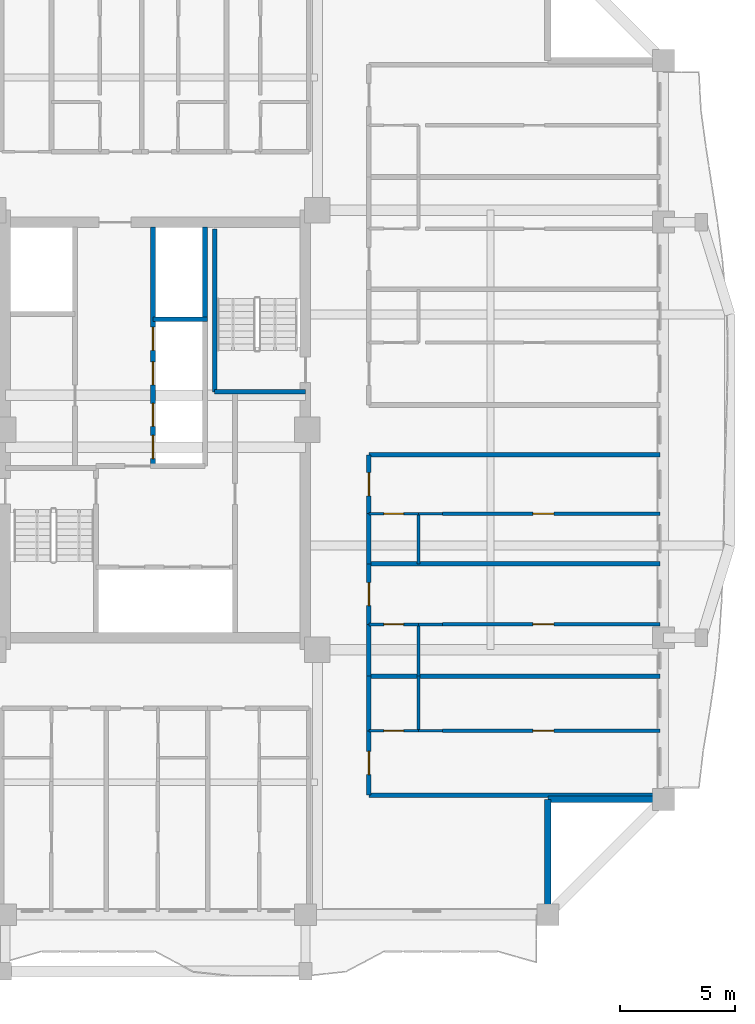
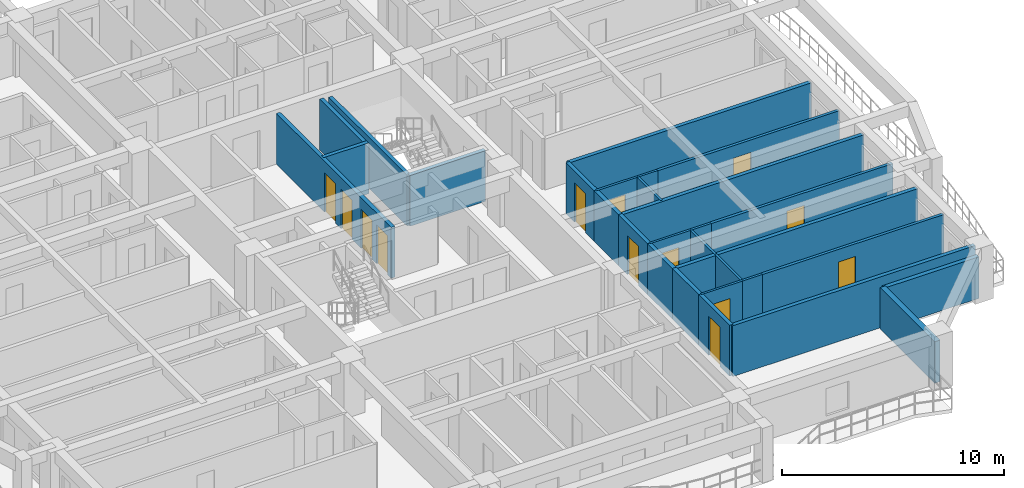
# One storey, part 5 of 15: 29 walls, 13 doors, 13 openings.
"""IFC4 building model written with IfcOpenShell, lengths in metres."""

from ifc_helpers import new_model, si_unit, direction, frame, frame_2d, origin, place, context, subcontext, project, spatial, rectangle, extrude, source, transform, mapped, material, layer, layer_set, type_object, element, fill, save


model = new_model("IFC4")

# Units and contexts
model_context = context("Model", 3, precision=1e-05, world=origin(), true_north=direction((0.0, 1.0)))
body_context = subcontext(model_context, "Body", "Model", "MODEL_VIEW")
ifc_project = project(units=[si_unit("LENGTHUNIT", "METRE"), si_unit("AREAUNIT", "SQUARE_METRE"), si_unit("VOLUMEUNIT", "CUBIC_METRE"), si_unit("PLANEANGLEUNIT", "RADIAN"), si_unit("MASSUNIT", "GRAM", prefix="KILO")], contexts=[model_context])

# Site, building, storey
site_placement = place(None, origin())
site = spatial("IfcSite", under=ifc_project, at=site_placement, CompositionType="ELEMENT")
building_placement = place(site_placement, origin())
building = spatial("IfcBuilding", under=site, at=building_placement, Name="Saelheon Loggia Tower", CompositionType="ELEMENT")
storey_placement = place(building_placement, frame((0.0, 0.0, 163.0)))
storey = spatial("IfcBuildingStorey", under=building, at=storey_placement, Name="L51", CompositionType="ELEMENT", Elevation=163.0)

# Walls
ifc_material_1 = material(Name="Architectural Precast Concrete C40/50", Category="concrete")
ifc_layer_1 = layer(ifc_material_1, 0.280029296875)
ifc_layer_set_1 = layer_set([ifc_layer_1], Name="Architectural Precast Concrete C40/50")
wall_type_1 = type_object("IfcWallType", Name="Wall_Ext_Loggia_280", PredefinedType="SOLIDWALL", material=ifc_layer_set_1)
for number, where, z_axis, x_axis, name in (
    (1, (55.0, 6.080078125, 0.0), (0.0, 0.0, 1.0), (0.0, 1.0, 0.0), "L51 Corner Notch Precast Wall SE1"),
    (2, (55.0, 11.0, 0.0), (0.0, 0.0, 1.0), (1.0, 0.0, 0.0), "L51 Corner Notch Precast Wall SE2"),
):
    element("IfcWall", number, at=place(storey_placement, frame(where, z_axis=z_axis, x_axis=x_axis)), inside=storey, type_object=wall_type_1, Name=name, PredefinedType="SOLIDWALL", context=body_context, shape_type="SweptSolid", body=[
        extrude(rectangle(XDim=4.919921875, YDim=0.280029296875, at=frame_2d((2.4599609375, 0.0))), origin(), (0.0, 0.0, 1.0), 2.280029296875),
    ])

# Wall, opening, door
ifc_material_2 = material(Name="Lightweight Autoclaved Aerated Concrete Block and Acoustic Gypsum", Category="concrete")
ifc_layer_2 = layer(ifc_material_2, 0.14990234375)
ifc_layer_set_2 = layer_set([ifc_layer_2], Name="Lightweight Autoclaved Aerated Concrete Block and Acoustic Gypsum")
wall_type_2 = type_object("IfcWallType", Name="Wall_Part_150", PredefinedType="PARTITIONING", material=ifc_layer_set_2)
wall_1_placement = place(storey_placement, frame((50.429931640625, 13.9658203125, 0.0), z_axis=(0.0, 0.0, 1.0), x_axis=(1.0, 0.0, 0.0)))
wall_1 = element("IfcWall", 3, at=wall_1_placement, inside=storey, type_object=wall_type_2, Name="L51 ES Partition U08", PredefinedType="PARTITIONING", context=body_context, shape_type="SweptSolid", body=[
    extrude(rectangle(XDim=9.420166015625, YDim=0.14990234375, at=frame_2d((4.7099609375, 0.0))), origin(), (0.0, 0.0, 1.0), 2.7900390625),
])
opening_1_placement = place(wall_1_placement, frame((3.925048828125, 0.0, 0.0)))
opening_1 = element("IfcOpeningElement", 4, at=opening_1_placement, cuts=wall_1, Name="Opening D-IN2", PredefinedType="OPENING", context=body_context, shape_type="SweptSolid", body=[
    extrude(rectangle(XDim=0.89990234375, YDim=2.10009765625, at=frame_2d((0.449951171875, 1.050048828125))), frame((0.0, 0.0869140625, 0.0), z_axis=(0.0, -1.0, 0.0), x_axis=(1.0, 0.0, 0.0)), (0.0, 0.0, 1.0), 0.173828125),
])
ifc_material_3 = material(Name="Engineered Oak Flush Door", Category="timber")
door_type_1 = type_object("IfcDoorType", Name="Door_Int_900", OperationType="NOTDEFINED", PredefinedType="DOOR", material=ifc_material_3)
shared_shape_1 = source(origin(), body_context, "Body", "SweptSolid", [
    extrude(rectangle(XDim=0.89990234375, YDim=2.10009765625, at=frame_2d((0.449951171875, 1.050048828125))), frame((0.0, 0.02490234375, 0.0), z_axis=(0.0, -1.0, 0.0), x_axis=(1.0, 0.0, 0.0)), (0.0, 0.0, 1.0), 0.050048828125),
])
door_1_placement = place(opening_1_placement, origin())
door_1 = element("IfcDoor", 5, at=door_1_placement, inside=storey, type_object=door_type_1, Name="Unit U13 Kitchen Door", OperationType="SINGLE_SWING_LEFT", OverallHeight=2.10009765625, OverallWidth=0.89990234375, PredefinedType="DOOR", context=body_context, shape_type="MappedRepresentation", body=[
    mapped(shared_shape_1, transform((0.0, 0.0, 0.0), scale=1.0)),
])
fill(opening_1, door_1)

wall_2_placement = place(storey_placement, frame((50.429931640625, 18.576416015625, 0.0), z_axis=(0.0, 0.0, 1.0), x_axis=(1.0, 0.0, 0.0)))
wall_2 = element("IfcWall", 6, at=wall_2_placement, inside=storey, type_object=wall_type_2, Name="L51 ES Partition U15", PredefinedType="PARTITIONING", context=body_context, shape_type="SweptSolid", body=[
    extrude(rectangle(XDim=9.420166015625, YDim=0.14990234375, at=frame_2d((4.7099609375, 0.0))), origin(), (0.0, 0.0, 1.0), 2.7900390625),
])
opening_2_placement = place(wall_2_placement, frame((3.925048828125, 0.0, 0.0)))
opening_2 = element("IfcOpeningElement", 7, at=opening_2_placement, cuts=wall_2, Name="Opening D-IN2", PredefinedType="OPENING", context=body_context, shape_type="SweptSolid", body=[
    extrude(rectangle(XDim=0.89990234375, YDim=2.10009765625, at=frame_2d((0.449951171875, 1.050048828125))), frame((0.0, 0.0869140625, 0.0), z_axis=(0.0, -1.0, 0.0), x_axis=(1.0, 0.0, 0.0)), (0.0, 0.0, 1.0), 0.173828125),
])
door_2_placement = place(opening_2_placement, origin())
door_2 = element("IfcDoor", 8, at=door_2_placement, inside=storey, type_object=door_type_1, Name="Unit U14 Kitchen Door", OperationType="SINGLE_SWING_RIGHT", OverallHeight=2.10009765625, OverallWidth=0.89990234375, PredefinedType="DOOR", context=body_context, shape_type="MappedRepresentation", body=[
    mapped(shared_shape_1, transform((0.0, 0.0, 0.0), scale=1.0)),
])
fill(opening_2, door_2)

wall_3_placement = place(storey_placement, frame((50.429931640625, 23.372802734375, 0.0), z_axis=(0.0, 0.0, 1.0), x_axis=(1.0, 0.0, 0.0)))
wall_3 = element("IfcWall", 9, at=wall_3_placement, inside=storey, type_object=wall_type_2, Name="L51 ES Partition U22", PredefinedType="PARTITIONING", context=body_context, shape_type="SweptSolid", body=[
    extrude(rectangle(XDim=9.420166015625, YDim=0.14990234375, at=frame_2d((4.7099609375, 0.0))), origin(), (0.0, 0.0, 1.0), 2.7900390625),
])
opening_3_placement = place(wall_3_placement, frame((3.925048828125, 0.0, 0.0)))
opening_3 = element("IfcOpeningElement", 10, at=opening_3_placement, cuts=wall_3, Name="Opening D-IN2", PredefinedType="OPENING", context=body_context, shape_type="SweptSolid", body=[
    extrude(rectangle(XDim=0.89990234375, YDim=2.10009765625, at=frame_2d((0.449951171875, 1.050048828125))), frame((0.0, 0.0869140625, 0.0), z_axis=(0.0, -1.0, 0.0), x_axis=(1.0, 0.0, 0.0)), (0.0, 0.0, 1.0), 0.173828125),
])
door_3_placement = place(opening_3_placement, origin())
door_3 = element("IfcDoor", 11, at=door_3_placement, inside=storey, type_object=door_type_1, Name="Unit U15 Kitchen Door", OperationType="SINGLE_SWING_LEFT", OverallHeight=2.10009765625, OverallWidth=0.89990234375, PredefinedType="DOOR", context=body_context, shape_type="MappedRepresentation", body=[
    mapped(shared_shape_1, transform((0.0, 0.0, 0.0), scale=1.0)),
])
fill(opening_3, door_3)

# Walls
ifc_material_4 = material(Name="Double Acoustic Stud and Fireboard Partition", Category="gypsum")
ifc_layer_3 = layer(ifc_material_4, 0.199951171875)
ifc_layer_set_3 = layer_set([ifc_layer_3], Name="Double Acoustic Stud and Fireboard Partition")
wall_type_3 = type_object("IfcWallType", Name="Wall_Party_200", PredefinedType="PARTITIONING", material=ifc_layer_set_3)
for number, where, z_axis, x_axis, name in (
    (12, (47.25, 11.179931640625, 0.0), (0.0, 0.0, 1.0), (1.0, 0.0, 0.0), "L51 ES Partition U01"),
    (13, (47.25, 25.919921875, 0.0), (0.0, 0.0, 1.0), (1.0, 0.0, 0.0), "L51 ES Partition U02"),
):
    element("IfcWall", number, at=place(storey_placement, frame(where, z_axis=z_axis, x_axis=x_axis)), inside=storey, type_object=wall_type_3, Name=name, PredefinedType="PARTITIONING", context=body_context, shape_type="SweptSolid", body=[
        extrude(rectangle(XDim=12.60009765625, YDim=0.199951171875, at=frame_2d((6.300048828125, 0.0))), origin(), (0.0, 0.0, 1.0), 2.7900390625),
    ])

# Wall, opening, door
wall_4_placement = place(storey_placement, frame((47.25, 11.179931640625, 0.0), z_axis=(0.0, 0.0, 1.0), x_axis=(0.0, 1.0, 0.0)))
wall_4 = element("IfcWall", 14, at=wall_4_placement, inside=storey, type_object=wall_type_3, Name="L51 ES Partition V03", PredefinedType="PARTITIONING", context=body_context, shape_type="SweptSolid", body=[
    extrude(rectangle(XDim=2.785888671875, YDim=0.199951171875, at=frame_2d((1.39306640625, 0.0))), origin(), (0.0, 0.0, 1.0), 2.7900390625),
])
opening_4_placement = place(wall_4_placement, frame((0.892822265625, 0.0, 0.0)))
opening_4 = element("IfcOpeningElement", 15, at=opening_4_placement, cuts=wall_4, Name="Opening D-FD1", PredefinedType="OPENING", context=body_context, shape_type="SweptSolid", body=[
    extrude(rectangle(XDim=1.0, YDim=2.14990234375, at=frame_2d((0.5, 1.074951171875))), frame((0.0, 0.112060546875, 0.0), z_axis=(0.0, -1.0, 0.0), x_axis=(1.0, 0.0, 0.0)), (0.0, 0.0, 1.0), 0.223876953125),
])
ifc_material_5 = material(Name="Fire-Rated Engineered Timber Entrance Door", Category="wood")
door_type_2 = type_object("IfcDoorType", Name="Door_Flat_FD30S", OperationType="NOTDEFINED", PredefinedType="DOOR", material=ifc_material_5)
shared_shape_2 = source(origin(), body_context, "Body", "SweptSolid", [
    extrude(rectangle(XDim=1.0, YDim=2.14990234375, at=frame_2d((0.5, 1.074951171875))), frame((0.0, 0.02490234375, 0.0), z_axis=(0.0, -1.0, 0.0), x_axis=(1.0, 0.0, 0.0)), (0.0, 0.0, 1.0), 0.050048828125),
])
door_4_placement = place(opening_4_placement, origin())
door_4 = element("IfcDoor", 16, at=door_4_placement, inside=storey, type_object=door_type_2, Name="Unit U13 Entrance Door", OperationType="SINGLE_SWING_LEFT", OverallHeight=2.14990234375, OverallWidth=1.0, PredefinedType="DOOR", context=body_context, shape_type="MappedRepresentation", body=[
    mapped(shared_shape_2, transform((0.0, 0.0, 0.0), scale=1.0)),
])
fill(opening_4, door_4)

# Walls
wall_5_placement = place(storey_placement, frame((47.25, 13.9658203125, 0.0), z_axis=(0.0, 0.0, 1.0), x_axis=(0.0, 1.0, 0.0)))
element("IfcWall", 17, at=wall_5_placement, inside=storey, type_object=wall_type_3, Name="L51 ES Partition V04", PredefinedType="PARTITIONING", context=body_context, shape_type="SweptSolid", body=[
    extrude(rectangle(XDim=2.373291015625, YDim=0.199951171875, at=frame_2d((1.1865234375, 0.0))), origin(), (0.0, 0.0, 1.0), 2.7900390625),
])
wall_6_placement = place(storey_placement, frame((47.25, 16.339111328125, 0.0), z_axis=(0.0, 0.0, 1.0), x_axis=(1.0, 0.0, 0.0)))
element("IfcWall", 18, at=wall_6_placement, inside=storey, type_object=wall_type_3, Name="L51 ES Partition U09", PredefinedType="PARTITIONING", context=body_context, shape_type="SweptSolid", body=[
    extrude(rectangle(XDim=12.60009765625, YDim=0.199951171875, at=frame_2d((6.300048828125, 0.0))), origin(), (0.0, 0.0, 1.0), 2.7900390625),
])
wall_7_placement = place(storey_placement, frame((47.25, 16.339111328125, 0.0), z_axis=(0.0, 0.0, 1.0), x_axis=(0.0, 1.0, 0.0)))
element("IfcWall", 19, at=wall_7_placement, inside=storey, type_object=wall_type_3, Name="L51 ES Partition V10", PredefinedType="PARTITIONING", context=body_context, shape_type="SweptSolid", body=[
    extrude(rectangle(XDim=2.2373046875, YDim=0.199951171875, at=frame_2d((1.11865234375, 0.0))), origin(), (0.0, 0.0, 1.0), 2.7900390625),
])

# Wall, opening, door
wall_8_placement = place(storey_placement, frame((47.25, 18.576416015625, 0.0), z_axis=(0.0, 0.0, 1.0), x_axis=(0.0, 1.0, 0.0)))
wall_8 = element("IfcWall", 20, at=wall_8_placement, inside=storey, type_object=wall_type_3, Name="L51 ES Partition V11", PredefinedType="PARTITIONING", context=body_context, shape_type="SweptSolid", body=[
    extrude(rectangle(XDim=2.626708984375, YDim=0.199951171875, at=frame_2d((1.3134765625, 0.0))), origin(), (0.0, 0.0, 1.0), 2.7900390625),
])
opening_5_placement = place(wall_8_placement, frame((0.813232421875, 0.0, 0.0)))
opening_5 = element("IfcOpeningElement", 21, at=opening_5_placement, cuts=wall_8, Name="Opening D-FD1", PredefinedType="OPENING", context=body_context, shape_type="SweptSolid", body=[
    extrude(rectangle(XDim=1.0, YDim=2.14990234375, at=frame_2d((0.5, 1.074951171875))), frame((0.0, 0.112060546875, 0.0), z_axis=(0.0, -1.0, 0.0), x_axis=(1.0, 0.0, 0.0)), (0.0, 0.0, 1.0), 0.223876953125),
])
door_5_placement = place(opening_5_placement, origin())
door_5 = element("IfcDoor", 22, at=door_5_placement, inside=storey, type_object=door_type_2, Name="Unit U14 Entrance Door", OperationType="SINGLE_SWING_RIGHT", OverallHeight=2.14990234375, OverallWidth=1.0, PredefinedType="DOOR", context=body_context, shape_type="MappedRepresentation", body=[
    mapped(shared_shape_2, transform((0.0, 0.0, 0.0), scale=1.0)),
])
fill(opening_5, door_5)

# Walls
wall_9_placement = place(storey_placement, frame((47.25, 21.203125, 0.0), z_axis=(0.0, 0.0, 1.0), x_axis=(1.0, 0.0, 0.0)))
element("IfcWall", 23, at=wall_9_placement, inside=storey, type_object=wall_type_3, Name="L51 ES Partition U16", PredefinedType="PARTITIONING", context=body_context, shape_type="SweptSolid", body=[
    extrude(rectangle(XDim=12.60009765625, YDim=0.199951171875, at=frame_2d((6.300048828125, 0.0))), origin(), (0.0, 0.0, 1.0), 2.7900390625),
])
wall_10_placement = place(storey_placement, frame((47.25, 21.203125, 0.0), z_axis=(0.0, 0.0, 1.0), x_axis=(0.0, 1.0, 0.0)))
element("IfcWall", 24, at=wall_10_placement, inside=storey, type_object=wall_type_3, Name="L51 ES Partition V17", PredefinedType="PARTITIONING", context=body_context, shape_type="SweptSolid", body=[
    extrude(rectangle(XDim=2.169677734375, YDim=0.199951171875, at=frame_2d((1.0849609375, 0.0))), origin(), (0.0, 0.0, 1.0), 2.7900390625),
])

# Wall, opening, door
wall_11_placement = place(storey_placement, frame((47.25, 23.372802734375, 0.0), z_axis=(0.0, 0.0, 1.0), x_axis=(0.0, 1.0, 0.0)))
wall_11 = element("IfcWall", 25, at=wall_11_placement, inside=storey, type_object=wall_type_3, Name="L51 ES Partition V18", PredefinedType="PARTITIONING", context=body_context, shape_type="SweptSolid", body=[
    extrude(rectangle(XDim=2.547119140625, YDim=0.199951171875, at=frame_2d((1.2734375, 0.0))), origin(), (0.0, 0.0, 1.0), 2.7900390625),
])
opening_6_placement = place(wall_11_placement, frame((0.773681640625, 0.0, 0.0)))
opening_6 = element("IfcOpeningElement", 26, at=opening_6_placement, cuts=wall_11, Name="Opening D-FD1", PredefinedType="OPENING", context=body_context, shape_type="SweptSolid", body=[
    extrude(rectangle(XDim=1.0, YDim=2.14990234375, at=frame_2d((0.5, 1.074951171875))), frame((0.0, 0.112060546875, 0.0), z_axis=(0.0, -1.0, 0.0), x_axis=(1.0, 0.0, 0.0)), (0.0, 0.0, 1.0), 0.223876953125),
])
door_6_placement = place(opening_6_placement, origin())
door_6 = element("IfcDoor", 27, at=door_6_placement, inside=storey, type_object=door_type_2, Name="Unit U15 Entrance Door", OperationType="SINGLE_SWING_LEFT", OverallHeight=2.14990234375, OverallWidth=1.0, PredefinedType="DOOR", context=body_context, shape_type="MappedRepresentation", body=[
    mapped(shared_shape_2, transform((0.0, 0.0, 0.0), scale=1.0)),
])
fill(opening_6, door_6)

# Wall
ifc_material_6 = material(Name="Concrete C40/50", Category="concrete")
ifc_layer_4 = layer(ifc_material_6, 0.199951171875)
ifc_layer_set_4 = layer_set([ifc_layer_4], Name="Concrete C40/50")
wall_type_4 = type_object("IfcWallType", Name="Wall_Shaft_200", PredefinedType="PARTITIONING", material=ifc_layer_set_4)
wall_12_placement = place(storey_placement, frame((40.14990234375, 31.800048828125, 0.0), z_axis=(0.0, 0.0, 1.0), x_axis=(0.0, 1.0, 0.0)))
element("IfcWall", 28, at=wall_12_placement, inside=storey, type_object=wall_type_4, Name="L51 East High-Rise Hoistway East Wall", PredefinedType="PARTITIONING", context=body_context, shape_type="SweptSolid", body=[
    extrude(rectangle(XDim=3.97998046875, YDim=0.199951171875, at=frame_2d((1.989990234375, 0.0))), origin(), (0.0, 0.0, 1.0), 2.7900390625),
])

# Wall, openings, doors
wall_13_placement = place(storey_placement, frame((37.89990234375, 25.43994140625, 0.0), z_axis=(0.0, 0.0, 1.0), x_axis=(0.0, 1.0, 0.0)))
wall_13 = element("IfcWall", 29, at=wall_13_placement, inside=storey, type_object=wall_type_4, Name="L51 East Passenger Lift Bank Wall", PredefinedType="PARTITIONING", context=body_context, shape_type="SweptSolid", body=[
    extrude(rectangle(XDim=10.340087890625, YDim=0.199951171875, at=frame_2d((5.169921875, 0.0))), origin(), (0.0, 0.0, 1.0), 2.7900390625),
])
opening_7_placement = place(wall_13_placement, frame((0.320068359375, 0.0, 0.0)))
opening_7 = element("IfcOpeningElement", 30, at=opening_7_placement, cuts=wall_13, Name="Opening LD1", PredefinedType="OPENING", context=body_context, shape_type="SweptSolid", body=[
    extrude(rectangle(XDim=1.0, YDim=2.14990234375, at=frame_2d((0.5, 1.074951171875))), frame((0.0, 0.112060546875, 0.0), z_axis=(0.0, -1.0, 0.0), x_axis=(1.0, 0.0, 0.0)), (0.0, 0.0, 1.0), 0.223876953125),
])
opening_8_placement = place(wall_13_placement, frame((1.7099609375, 0.0, 0.0)))
opening_8 = element("IfcOpeningElement", 31, at=opening_8_placement, cuts=wall_13, Name="Opening LD1", PredefinedType="OPENING", context=body_context, shape_type="SweptSolid", body=[
    extrude(rectangle(XDim=1.0, YDim=2.14990234375, at=frame_2d((0.5, 1.074951171875))), frame((0.0, 0.112060546875, 0.0), z_axis=(0.0, -1.0, 0.0), x_axis=(1.0, 0.0, 0.0)), (0.0, 0.0, 1.0), 0.223876953125),
])
opening_9_placement = place(wall_13_placement, frame((3.510009765625, 0.0, 0.0)))
opening_9 = element("IfcOpeningElement", 32, at=opening_9_placement, cuts=wall_13, Name="Opening LD1", PredefinedType="OPENING", context=body_context, shape_type="SweptSolid", body=[
    extrude(rectangle(XDim=1.0, YDim=2.14990234375, at=frame_2d((0.5, 1.074951171875))), frame((0.0, 0.112060546875, 0.0), z_axis=(0.0, -1.0, 0.0), x_axis=(1.0, 0.0, 0.0)), (0.0, 0.0, 1.0), 0.223876953125),
])
opening_10_placement = place(wall_13_placement, frame((5.010009765625, 0.0, 0.0)))
opening_10 = element("IfcOpeningElement", 33, at=opening_10_placement, cuts=wall_13, Name="Opening LD1", PredefinedType="OPENING", context=body_context, shape_type="SweptSolid", body=[
    extrude(rectangle(XDim=1.0, YDim=2.14990234375, at=frame_2d((0.5, 1.074951171875))), frame((0.0, 0.112060546875, 0.0), z_axis=(0.0, -1.0, 0.0), x_axis=(1.0, 0.0, 0.0)), (0.0, 0.0, 1.0), 0.223876953125),
])
ifc_material_7 = material(Name="Brushed Stainless Steel 304 Landing Door", Category="steel")
door_type_3 = type_object("IfcDoorType", Name="Door_Lift_LD1", OperationType="DOUBLE_DOOR_SLIDING", PredefinedType="DOOR", material=ifc_material_7)
door_7_placement = place(opening_7_placement, origin())
door_7 = element("IfcDoor", 34, at=door_7_placement, inside=storey, type_object=door_type_3, Name="L51 PM1 Landing Door", OperationType="DOUBLE_DOOR_SLIDING", OverallHeight=2.14990234375, OverallWidth=1.0, PredefinedType="DOOR", context=body_context, shape_type="MappedRepresentation", body=[
    mapped(shared_shape_2, transform((0.0, 0.0, 0.0), scale=1.0)),
])
fill(opening_7, door_7)
door_8_placement = place(opening_8_placement, origin())
door_8 = element("IfcDoor", 35, at=door_8_placement, inside=storey, type_object=door_type_3, Name="L51 PM2 Landing Door", OperationType="DOUBLE_DOOR_SLIDING", OverallHeight=2.14990234375, OverallWidth=1.0, PredefinedType="DOOR", context=body_context, shape_type="MappedRepresentation", body=[
    mapped(shared_shape_2, transform((0.0, 0.0, 0.0), scale=1.0)),
])
fill(opening_8, door_8)
door_9_placement = place(opening_9_placement, origin())
door_9 = element("IfcDoor", 36, at=door_9_placement, inside=storey, type_object=door_type_3, Name="L51 PM3 Landing Door", OperationType="DOUBLE_DOOR_SLIDING", OverallHeight=2.14990234375, OverallWidth=1.0, PredefinedType="DOOR", context=body_context, shape_type="MappedRepresentation", body=[
    mapped(shared_shape_2, transform((0.0, 0.0, 0.0), scale=1.0)),
])
fill(opening_9, door_9)
door_10_placement = place(opening_10_placement, origin())
door_10 = element("IfcDoor", 37, at=door_10_placement, inside=storey, type_object=door_type_3, Name="L51 PM4 Landing Door", OperationType="DOUBLE_DOOR_SLIDING", OverallHeight=2.14990234375, OverallWidth=1.0, PredefinedType="DOOR", context=body_context, shape_type="MappedRepresentation", body=[
    mapped(shared_shape_2, transform((0.0, 0.0, 0.0), scale=1.0)),
])
fill(opening_10, door_10)

# Walls
wall_14_placement = place(storey_placement, frame((37.89990234375, 31.800048828125, 0.0), z_axis=(0.0, 0.0, 1.0), x_axis=(1.0, 0.0, 0.0)))
element("IfcWall", 38, at=wall_14_placement, inside=storey, type_object=wall_type_4, Name="L51 East High-Rise Shaft Divider", PredefinedType="PARTITIONING", context=body_context, shape_type="SweptSolid", body=[
    extrude(rectangle(XDim=2.35009765625, YDim=0.199951171875, at=frame_2d((1.175048828125, 0.0))), origin(), (0.0, 0.0, 1.0), 2.7900390625),
])
ifc_material_8 = material(Name="Concrete C45/55", Category="concrete")
ifc_layer_5 = layer(ifc_material_8, 0.199951171875)
ifc_layer_set_5 = layer_set([ifc_layer_5], Name="Concrete C45/55")
wall_type_5 = type_object("IfcWallType", Name="Wall_StairShaft_RC200", PredefinedType="SOLIDWALL", material=ifc_layer_set_5)
wall_15_placement = place(storey_placement, frame((40.570068359375, 28.64990234375, 0.0), z_axis=(0.0, 0.0, 1.0), x_axis=(0.0, 1.0, 0.0)))
element("IfcWall", 39, at=wall_15_placement, inside=storey, type_object=wall_type_5, Name="L51 Stair ST2 Shaft Wall", PredefinedType="SOLIDWALL", context=body_context, shape_type="SweptSolid", body=[
    extrude(rectangle(XDim=7.050048828125, YDim=0.199951171875, at=frame_2d((3.52490234375, 0.0))), origin(), (0.0, 0.0, 1.0), 2.7900390625),
])
wall_16_placement = place(storey_placement, frame((40.570068359375, 28.64990234375, 0.0), z_axis=(0.0, 0.0, 1.0), x_axis=(1.0, 0.0, 0.0)))
element("IfcWall", 40, at=wall_16_placement, inside=storey, type_object=wall_type_5, Name="L51 Stair ST2 South Wall", PredefinedType="SOLIDWALL", context=body_context, shape_type="SweptSolid", body=[
    extrude(rectangle(XDim=3.929931640625, YDim=0.199951171875, at=frame_2d((1.96484375, 0.0))), origin(), (0.0, 0.0, 1.0), 2.7900390625),
])

# Wall, opening, door
ifc_material_9 = material(Name="Moisture-Resistant Cement Board Partition", Category="gypsum")
ifc_layer_6 = layer(ifc_material_9, 0.1201171875)
ifc_layer_set_6 = layer_set([ifc_layer_6], Name="Moisture-Resistant Cement Board Partition")
wall_type_6 = type_object("IfcWallType", Name="Wall_WetPart_120", PredefinedType="PARTITIONING", material=ifc_layer_set_6)
wall_17_placement = place(storey_placement, frame((47.25, 13.9658203125, 0.0), z_axis=(0.0, 0.0, 1.0), x_axis=(1.0, 0.0, 0.0)))
wall_17 = element("IfcWall", 41, at=wall_17_placement, inside=storey, type_object=wall_type_6, Name="L51 ES Partition U05", PredefinedType="PARTITIONING", context=body_context, shape_type="SweptSolid", body=[
    extrude(rectangle(XDim=2.14990234375, YDim=0.1201171875, at=frame_2d((1.074951171875, 0.0))), origin(), (0.0, 0.0, 1.0), 2.7900390625),
])
opening_11_placement = place(wall_17_placement, frame((0.64990234375, 0.0, 0.0)))
opening_11 = element("IfcOpeningElement", 42, at=opening_11_placement, cuts=wall_17, Name="Opening D-BT1", PredefinedType="OPENING", context=body_context, shape_type="SweptSolid", body=[
    extrude(rectangle(XDim=0.85009765625, YDim=2.050048828125, at=frame_2d((0.425048828125, 1.02490234375))), frame((0.0, 0.072021484375, 0.0), z_axis=(0.0, -1.0, 0.0), x_axis=(1.0, 0.0, 0.0)), (0.0, 0.0, 1.0), 0.14404296875),
])
ifc_material_10 = material(Name="Moisture-Resistant Laminate Timber Door", Category="wood")
door_type_4 = type_object("IfcDoorType", Name="Door_Bath_850", OperationType="NOTDEFINED", PredefinedType="DOOR", material=ifc_material_10)
shared_shape_3 = source(origin(), body_context, "Body", "SweptSolid", [
    extrude(rectangle(XDim=0.85009765625, YDim=2.050048828125, at=frame_2d((0.425048828125, 1.02490234375))), frame((0.0, 0.02490234375, 0.0), z_axis=(0.0, -1.0, 0.0), x_axis=(1.0, 0.0, 0.0)), (0.0, 0.0, 1.0), 0.050048828125),
])
door_11_placement = place(opening_11_placement, origin())
door_11 = element("IfcDoor", 43, at=door_11_placement, inside=storey, type_object=door_type_4, Name="Unit U13 Bathroom Door", OperationType="SINGLE_SWING_RIGHT", OverallHeight=2.050048828125, OverallWidth=0.85009765625, PredefinedType="DOOR", context=body_context, shape_type="MappedRepresentation", body=[
    mapped(shared_shape_3, transform((0.0, 0.0, 0.0), scale=1.0)),
])
fill(opening_11, door_11)

# Walls
wall_18_placement = place(storey_placement, frame((49.39990234375, 13.9658203125, 0.0), z_axis=(0.0, 0.0, 1.0), x_axis=(1.0, 0.0, 0.0)))
element("IfcWall", 44, at=wall_18_placement, inside=storey, type_object=wall_type_6, Name="L51 ES Partition U06", PredefinedType="PARTITIONING", context=body_context, shape_type="SweptSolid", body=[
    extrude(rectangle(XDim=1.030029296875, YDim=0.1201171875, at=frame_2d((0.51513671875, 0.0))), origin(), (0.0, 0.0, 1.0), 2.7900390625),
])
wall_19_placement = place(storey_placement, frame((49.39990234375, 13.9658203125, 0.0), z_axis=(0.0, 0.0, 1.0), x_axis=(0.0, 1.0, 0.0)))
element("IfcWall", 45, at=wall_19_placement, inside=storey, type_object=wall_type_6, Name="L51 ES Partition V07", PredefinedType="PARTITIONING", context=body_context, shape_type="SweptSolid", body=[
    extrude(rectangle(XDim=2.373291015625, YDim=0.1201171875, at=frame_2d((1.1865234375, 0.0))), origin(), (0.0, 0.0, 1.0), 2.7900390625),
])

# Wall, opening, door
wall_20_placement = place(storey_placement, frame((47.25, 18.576416015625, 0.0), z_axis=(0.0, 0.0, 1.0), x_axis=(1.0, 0.0, 0.0)))
wall_20 = element("IfcWall", 46, at=wall_20_placement, inside=storey, type_object=wall_type_6, Name="L51 ES Partition U12", PredefinedType="PARTITIONING", context=body_context, shape_type="SweptSolid", body=[
    extrude(rectangle(XDim=2.14990234375, YDim=0.1201171875, at=frame_2d((1.074951171875, 0.0))), origin(), (0.0, 0.0, 1.0), 2.7900390625),
])
opening_12_placement = place(wall_20_placement, frame((0.64990234375, 0.0, 0.0)))
opening_12 = element("IfcOpeningElement", 47, at=opening_12_placement, cuts=wall_20, Name="Opening D-BT1", PredefinedType="OPENING", context=body_context, shape_type="SweptSolid", body=[
    extrude(rectangle(XDim=0.85009765625, YDim=2.050048828125, at=frame_2d((0.425048828125, 1.02490234375))), frame((0.0, 0.072021484375, 0.0), z_axis=(0.0, -1.0, 0.0), x_axis=(1.0, 0.0, 0.0)), (0.0, 0.0, 1.0), 0.14404296875),
])
door_12_placement = place(opening_12_placement, origin())
door_12 = element("IfcDoor", 48, at=door_12_placement, inside=storey, type_object=door_type_4, Name="Unit U14 Bathroom Door", OperationType="SINGLE_SWING_LEFT", OverallHeight=2.050048828125, OverallWidth=0.85009765625, PredefinedType="DOOR", context=body_context, shape_type="MappedRepresentation", body=[
    mapped(shared_shape_3, transform((0.0, 0.0, 0.0), scale=1.0)),
])
fill(opening_12, door_12)

# Walls
wall_21_placement = place(storey_placement, frame((49.39990234375, 18.576416015625, 0.0), z_axis=(0.0, 0.0, 1.0), x_axis=(1.0, 0.0, 0.0)))
element("IfcWall", 49, at=wall_21_placement, inside=storey, type_object=wall_type_6, Name="L51 ES Partition U13", PredefinedType="PARTITIONING", context=body_context, shape_type="SweptSolid", body=[
    extrude(rectangle(XDim=1.030029296875, YDim=0.1201171875, at=frame_2d((0.51513671875, 0.0))), origin(), (0.0, 0.0, 1.0), 2.7900390625),
])
wall_22_placement = place(storey_placement, frame((49.39990234375, 16.339111328125, 0.0), z_axis=(0.0, 0.0, 1.0), x_axis=(0.0, 1.0, 0.0)))
element("IfcWall", 50, at=wall_22_placement, inside=storey, type_object=wall_type_6, Name="L51 ES Partition V14", PredefinedType="PARTITIONING", context=body_context, shape_type="SweptSolid", body=[
    extrude(rectangle(XDim=2.2373046875, YDim=0.1201171875, at=frame_2d((1.11865234375, 0.0))), origin(), (0.0, 0.0, 1.0), 2.7900390625),
])

# Wall, opening, door
wall_23_placement = place(storey_placement, frame((47.25, 23.372802734375, 0.0), z_axis=(0.0, 0.0, 1.0), x_axis=(1.0, 0.0, 0.0)))
wall_23 = element("IfcWall", 51, at=wall_23_placement, inside=storey, type_object=wall_type_6, Name="L51 ES Partition U19", PredefinedType="PARTITIONING", context=body_context, shape_type="SweptSolid", body=[
    extrude(rectangle(XDim=2.14990234375, YDim=0.1201171875, at=frame_2d((1.074951171875, 0.0))), origin(), (0.0, 0.0, 1.0), 2.7900390625),
])
opening_13_placement = place(wall_23_placement, frame((0.64990234375, 0.0, 0.0)))
opening_13 = element("IfcOpeningElement", 52, at=opening_13_placement, cuts=wall_23, Name="Opening D-BT1", PredefinedType="OPENING", context=body_context, shape_type="SweptSolid", body=[
    extrude(rectangle(XDim=0.85009765625, YDim=2.050048828125, at=frame_2d((0.425048828125, 1.02490234375))), frame((0.0, 0.072021484375, 0.0), z_axis=(0.0, -1.0, 0.0), x_axis=(1.0, 0.0, 0.0)), (0.0, 0.0, 1.0), 0.14404296875),
])
door_13_placement = place(opening_13_placement, origin())
door_13 = element("IfcDoor", 53, at=door_13_placement, inside=storey, type_object=door_type_4, Name="Unit U15 Bathroom Door", OperationType="SINGLE_SWING_RIGHT", OverallHeight=2.050048828125, OverallWidth=0.85009765625, PredefinedType="DOOR", context=body_context, shape_type="MappedRepresentation", body=[
    mapped(shared_shape_3, transform((0.0, 0.0, 0.0), scale=1.0)),
])
fill(opening_13, door_13)

# Walls
wall_24_placement = place(storey_placement, frame((49.39990234375, 23.372802734375, 0.0), z_axis=(0.0, 0.0, 1.0), x_axis=(1.0, 0.0, 0.0)))
element("IfcWall", 54, at=wall_24_placement, inside=storey, type_object=wall_type_6, Name="L51 ES Partition U20", PredefinedType="PARTITIONING", context=body_context, shape_type="SweptSolid", body=[
    extrude(rectangle(XDim=1.030029296875, YDim=0.1201171875, at=frame_2d((0.51513671875, 0.0))), origin(), (0.0, 0.0, 1.0), 2.7900390625),
])
wall_25_placement = place(storey_placement, frame((49.39990234375, 21.203125, 0.0), z_axis=(0.0, 0.0, 1.0), x_axis=(0.0, 1.0, 0.0)))
element("IfcWall", 55, at=wall_25_placement, inside=storey, type_object=wall_type_6, Name="L51 ES Partition V21", PredefinedType="PARTITIONING", context=body_context, shape_type="SweptSolid", body=[
    extrude(rectangle(XDim=2.169677734375, YDim=0.1201171875, at=frame_2d((1.0849609375, 0.0))), origin(), (0.0, 0.0, 1.0), 2.7900390625),
])

save(model, "model.ifc")
